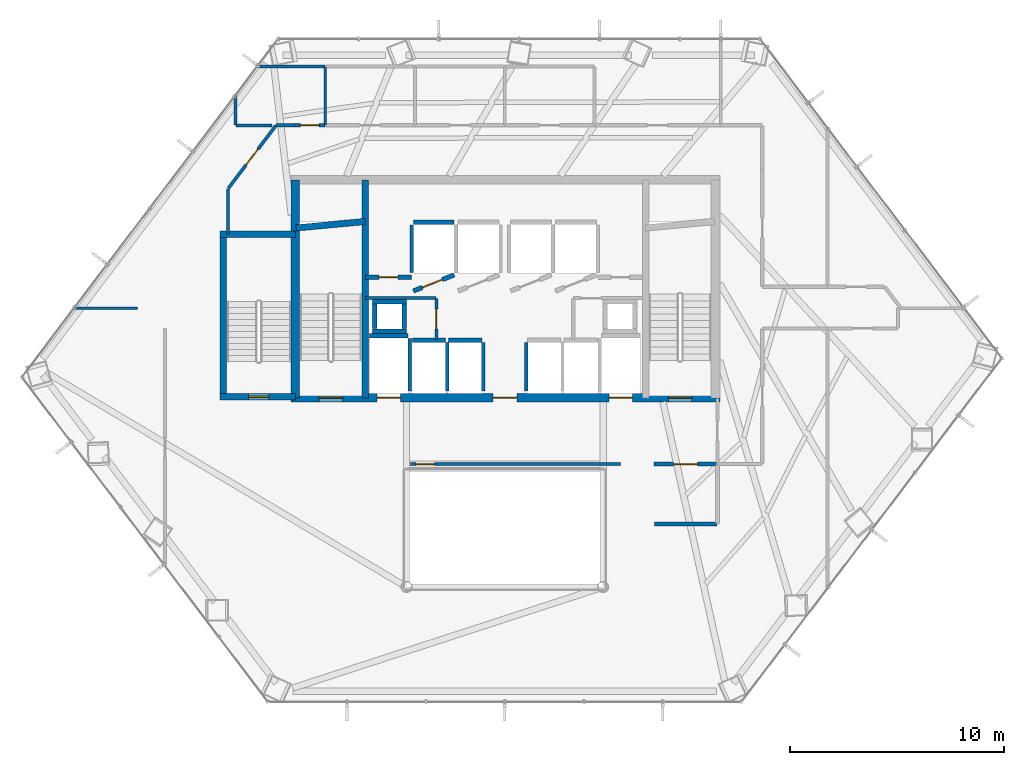
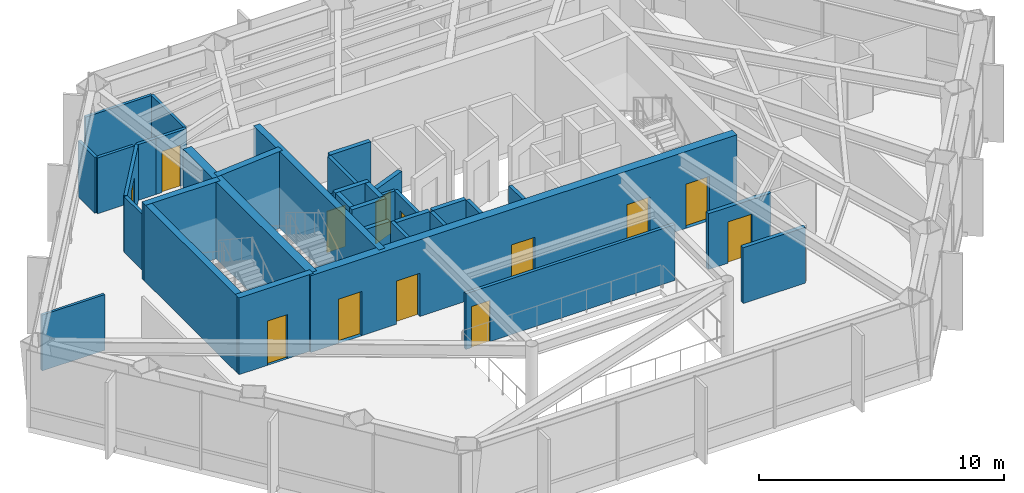
# One storey, part 24 of 27: 36 walls, 13 doors, 13 openings.
"""IFC4 building model written with IfcOpenShell, lengths in metres."""

from ifc_helpers import new_model, si_unit, direction, frame, frame_2d, origin, place, context, subcontext, project, spatial, rectangle, extrude, material, layer, layer_set, type_object, element, fill, save


model = new_model("IFC4")

# Units and contexts
model_context = context("Model", 3, precision=1e-05, world=origin(), true_north=direction((0.0, 1.0)))
body_context = subcontext(model_context, "Body", "Model", "MODEL_VIEW")
ifc_project = project(units=[si_unit("LENGTHUNIT", "METRE"), si_unit("AREAUNIT", "SQUARE_METRE"), si_unit("VOLUMEUNIT", "CUBIC_METRE"), si_unit("PLANEANGLEUNIT", "RADIAN"), si_unit("MASSUNIT", "GRAM", prefix="KILO")], contexts=[model_context])

# Site, building, storey
site_placement = place(None, origin())
site = spatial("IfcSite", under=ifc_project, at=site_placement, CompositionType="ELEMENT")
building_placement = place(site_placement, origin())
building = spatial("IfcBuilding", under=site, at=building_placement, Name="Zarrinselat Tower", CompositionType="ELEMENT")
storey_placement = place(building_placement, frame((0.0, 0.0, 47.93994140625)))
storey = spatial("IfcBuildingStorey", under=building, at=storey_placement, Name="L11", CompositionType="ELEMENT", Elevation=47.93994140625)

# Wall, opening, door
ifc_material_1 = material(Name="Concrete C40/50", Category="concrete")
ifc_layer_1 = layer(ifc_material_1, 0.18994140625)
ifc_layer_set_1 = layer_set([ifc_layer_1], Name="Concrete C40/50")
wall_type_1 = type_object("IfcWallType", Name="WAL-PART-EI120", PredefinedType="PARTITIONING", material=ifc_layer_set_1)
wall_1_placement = place(storey_placement, frame((45.385009765625, 30.14990234375, 0.0), z_axis=(0.0, 0.0, 1.0), x_axis=(1.0, 0.0, 0.0)))
wall_1 = element("IfcWall", 1, at=wall_1_placement, inside=storey, type_object=wall_type_1, Name="L11 Partition Wall 7", PredefinedType="PARTITIONING", context=body_context, shape_type="SweptSolid", body=[
    extrude(rectangle(XDim=2.945068359375, YDim=0.18994140625, at=frame_2d((1.47265625, 0.0))), origin(), (0.0, 0.0, 1.0), 2.777099609375),
])
opening_1_placement = place(wall_1_placement, frame((0.91259765625, 0.0, 0.0)))
opening_1 = element("IfcOpeningElement", 2, at=opening_1_placement, cuts=wall_1, Name="Opening ID-02", PredefinedType="OPENING", context=body_context, shape_type="SweptSolid", body=[
    extrude(rectangle(XDim=1.1201171875, YDim=2.050048828125, at=frame_2d((0.56005859375, 1.02490234375))), frame((0.0, 0.10498046875, 0.0), z_axis=(0.0, -1.0, 0.0), x_axis=(1.0, 0.0, 0.0)), (0.0, 0.0, 1.0), 0.2099609375),
])
ifc_material_2 = material(Name="Steel S355J2", Category="steel")
door_type_1 = type_object("IfcDoorType", Name="DR-INT-FD60-W", OperationType="NOTDEFINED", PredefinedType="DOOR", material=ifc_material_2)
door_1_placement = place(opening_1_placement, origin())
door_1 = element("IfcDoor", 3, at=door_1_placement, inside=storey, type_object=door_type_1, Name="L11 Interior Door P7", OperationType="SINGLE_SWING_LEFT", OverallHeight=2.050048828125, OverallWidth=1.1201171875, PredefinedType="DOOR", context=body_context, shape_type="SweptSolid", body=[
    extrude(rectangle(XDim=1.1201171875, YDim=2.050048828125, at=frame_2d((0.56005859375, 1.02490234375))), frame((0.0, 0.02490234375, 0.0), z_axis=(0.0, -1.0, 0.0), x_axis=(1.0, 0.0, 0.0)), (0.0, 0.0, 1.0), 0.050048828125),
])
fill(opening_1, door_1)

# Wall
wall_2_placement = place(storey_placement, frame((45.39990234375, 27.35009765625, 0.0), z_axis=(0.0, 0.0, 1.0), x_axis=(1.0, 0.0, 0.0)))
element("IfcWall", 4, at=wall_2_placement, inside=storey, type_object=wall_type_1, Name="L11 Partition Wall 10", PredefinedType="PARTITIONING", context=body_context, shape_type="SweptSolid", body=[
    extrude(rectangle(XDim=2.93017578125, YDim=0.18994140625, at=frame_2d((1.465087890625, 0.0))), origin(), (0.0, 0.0, 1.0), 2.777099609375),
])

# Wall, opening, door
ifc_material_3 = material(Name="Fire-Rated Gypsum Board Partition", Category="gypsum")
ifc_layer_2 = layer(ifc_material_3, 0.14990234375)
ifc_layer_set_2 = layer_set([ifc_layer_2], Name="Fire-Rated Gypsum Board Partition")
wall_type_2 = type_object("IfcWallType", Name="WAL-PART-EI60", PredefinedType="PARTITIONING", material=ifc_layer_set_2)
wall_3_placement = place(storey_placement, frame((35.199951171875, 35.969970703125, 0.0), z_axis=(0.0, 0.0, 1.0), x_axis=(0.0, 1.0, 0.0)))
wall_3 = element("IfcWall", 5, at=wall_3_placement, inside=storey, type_object=wall_type_2, Name="L11 Partition Wall 1", PredefinedType="PARTITIONING", context=body_context, shape_type="SweptSolid", body=[
    extrude(rectangle(XDim=1.929931640625, YDim=0.14990234375, at=frame_2d((0.96484375, 0.0))), origin(), (0.0, 0.0, 1.0), 2.777099609375),
])
opening_2_placement = place(wall_3_placement, frame((0.4951171875, 0.0, 0.0)))
opening_2 = element("IfcOpeningElement", 6, at=opening_2_placement, cuts=wall_3, Name="Opening ID-04", PredefinedType="OPENING", context=body_context, shape_type="SweptSolid", body=[
    extrude(rectangle(XDim=0.93994140625, YDim=2.050048828125, at=frame_2d((0.469970703125, 1.02490234375))), frame((0.0, 0.0849609375, 0.0), z_axis=(0.0, -1.0, 0.0), x_axis=(1.0, 0.0, 0.0)), (0.0, 0.0, 1.0), 0.169921875),
])
ifc_material_4 = material(Name="Fire-Rated Gypsum Board Partition")
door_type_2 = type_object("IfcDoorType", Name="DR-INT-FD30-ENT", OperationType="NOTDEFINED", PredefinedType="DOOR", material=ifc_material_4)
door_2_placement = place(opening_2_placement, origin())
door_2 = element("IfcDoor", 7, at=door_2_placement, inside=storey, type_object=door_type_2, Name="L11 Interior Door P1", OperationType="SINGLE_SWING_LEFT", OverallHeight=2.050048828125, OverallWidth=0.93994140625, PredefinedType="DOOR", context=body_context, shape_type="SweptSolid", body=[
    extrude(rectangle(XDim=0.93994140625, YDim=2.050048828125, at=frame_2d((0.469970703125, 1.02490234375))), frame((0.0, 0.02490234375, 0.0), z_axis=(0.0, -1.0, 0.0), x_axis=(1.0, 0.0, 0.0)), (0.0, 0.0, 1.0), 0.050048828125),
])
fill(opening_2, door_2)

# Wall
wall_4_placement = place(storey_placement, frame((31.885009765625, 37.919921875, 0.0), z_axis=(0.0, 0.0, 1.0), x_axis=(1.0, 0.0, 0.0)))
element("IfcWall", 8, at=wall_4_placement, inside=storey, type_object=wall_type_2, Name="L11 Partition Wall 2", PredefinedType="PARTITIONING", context=body_context, shape_type="SweptSolid", body=[
    extrude(rectangle(XDim=3.294921875, YDim=0.14990234375, at=frame_2d((1.6474609375, 0.0))), origin(), (0.0, 0.0, 1.0), 2.777099609375),
])

# Wall, opening, door
wall_5_placement = place(storey_placement, frame((33.985107421875, 30.14990234375, 0.0), z_axis=(0.0, 0.0, 1.0), x_axis=(1.0, 0.0, 0.0)))
wall_5 = element("IfcWall", 9, at=wall_5_placement, inside=storey, type_object=wall_type_2, Name="L11 Partition Wall 9", PredefinedType="PARTITIONING", context=body_context, shape_type="SweptSolid", body=[
    extrude(rectangle(XDim=9.829833984375, YDim=0.14990234375, at=frame_2d((4.9150390625, 0.0))), origin(), (0.0, 0.0, 1.0), 2.777099609375),
])
opening_3_placement = place(wall_5_placement, frame((0.25, 0.0, 0.0)))
opening_3 = element("IfcOpeningElement", 10, at=opening_3_placement, cuts=wall_5, Name="Opening ID-03", PredefinedType="OPENING", context=body_context, shape_type="SweptSolid", body=[
    extrude(rectangle(XDim=0.8798828125, YDim=2.050048828125, at=frame_2d((0.43994140625, 1.02490234375))), frame((0.0, 0.0849609375, 0.0), z_axis=(0.0, -1.0, 0.0), x_axis=(1.0, 0.0, 0.0)), (0.0, 0.0, 1.0), 0.169921875),
])
ifc_material_5 = material(Name="Steel S355J2", Category="steel")
door_type_3 = type_object("IfcDoorType", Name="DR-INT-FD60-S", OperationType="NOTDEFINED", PredefinedType="DOOR", material=ifc_material_5)
door_3_placement = place(opening_3_placement, origin())
door_3 = element("IfcDoor", 11, at=door_3_placement, inside=storey, type_object=door_type_3, Name="L11 Interior Door P9", OperationType="SINGLE_SWING_LEFT", OverallHeight=2.050048828125, OverallWidth=0.8798828125, PredefinedType="DOOR", context=body_context, shape_type="SweptSolid", body=[
    extrude(rectangle(XDim=0.8798828125, YDim=2.050048828125, at=frame_2d((0.43994140625, 1.02490234375))), frame((0.0, 0.02490234375, 0.0), z_axis=(0.0, -1.0, 0.0), x_axis=(1.0, 0.0, 0.0)), (0.0, 0.0, 1.0), 0.050048828125),
])
fill(opening_3, door_3)

# Wall
wall_6_placement = place(storey_placement, frame((27.69580078125, 46.0, 0.0), z_axis=(0.0, 0.0, 1.0), x_axis=(1.0, 0.0, 0.0)))
element("IfcWall", 12, at=wall_6_placement, inside=storey, type_object=wall_type_2, Name="L11 Partition Wall 12", PredefinedType="PARTITIONING", context=body_context, shape_type="SweptSolid", body=[
    extrude(rectangle(XDim=0.854248046875, YDim=0.14990234375, at=frame_2d((0.42724609375, 0.0))), origin(), (0.0, 0.0, 1.0), 2.777099609375),
])

# Wall, opening, door
wall_7_placement = place(storey_placement, frame((28.550048828125, 46.0, 0.0), z_axis=(0.0, 0.0, 1.0), x_axis=(1.0, 0.0, 0.0)))
wall_7 = element("IfcWall", 13, at=wall_7_placement, inside=storey, type_object=wall_type_2, Name="L11 Partition Wall 13", PredefinedType="PARTITIONING", context=body_context, shape_type="SweptSolid", body=[
    extrude(rectangle(XDim=1.445068359375, YDim=0.14990234375, at=frame_2d((0.72265625, 0.0))), origin(), (0.0, 0.0, 1.0), 2.777099609375),
])
opening_4_placement = place(wall_7_placement, frame((0.282470703125, 0.0, 0.0)))
opening_4 = element("IfcOpeningElement", 14, at=opening_4_placement, cuts=wall_7, Name="Opening ID-03", PredefinedType="OPENING", context=body_context, shape_type="SweptSolid", body=[
    extrude(rectangle(XDim=0.8798828125, YDim=2.050048828125, at=frame_2d((0.43994140625, 1.02490234375))), frame((0.0, 0.0849609375, 0.0), z_axis=(0.0, -1.0, 0.0), x_axis=(1.0, 0.0, 0.0)), (0.0, 0.0, 1.0), 0.169921875),
])
door_4_placement = place(opening_4_placement, origin())
door_4 = element("IfcDoor", 15, at=door_4_placement, inside=storey, type_object=door_type_3, Name="L11 Interior Door P13", OperationType="SINGLE_SWING_RIGHT", OverallHeight=2.050048828125, OverallWidth=0.8798828125, PredefinedType="DOOR", context=body_context, shape_type="SweptSolid", body=[
    extrude(rectangle(XDim=0.8798828125, YDim=2.050048828125, at=frame_2d((0.43994140625, 1.02490234375))), frame((0.0, 0.02490234375, 0.0), z_axis=(0.0, -1.0, 0.0), x_axis=(1.0, 0.0, 0.0)), (0.0, 0.0, 1.0), 0.050048828125),
])
fill(opening_4, door_4)

# Wall
wall_8_placement = place(storey_placement, frame((25.449951171875, 40.9150390625, 0.0), z_axis=(0.0, 0.0, 1.0), x_axis=(0.0, 1.0, 0.0)))
element("IfcWall", 16, at=wall_8_placement, inside=storey, type_object=wall_type_2, Name="L11 Partition Wall 24", PredefinedType="PARTITIONING", context=body_context, shape_type="SweptSolid", body=[
    extrude(rectangle(XDim=2.100341796875, YDim=0.14990234375, at=frame_2d((1.05029296875, 0.0))), origin(), (0.0, 0.0, 1.0), 2.777099609375),
])

# Wall, opening, door
wall_9_placement = place(storey_placement, frame((25.462158203125, 43.05126953125, 0.0), z_axis=(0.0, 0.0, 1.0), x_axis=(0.603862791153, 0.7970882821, 0.0)))
wall_9 = element("IfcWall", 17, at=wall_9_placement, inside=storey, type_object=wall_type_2, Name="L11 Partition Wall 25", PredefinedType="PARTITIONING", context=body_context, shape_type="SweptSolid", body=[
    extrude(rectangle(XDim=3.684326171875, YDim=0.14990234375, at=frame_2d((1.84228515625, 0.0))), origin(), (0.0, 0.0, 1.0), 2.777099609375),
])
opening_5_placement = place(wall_9_placement, frame((1.3720703125, 0.0, 0.0)))
opening_5 = element("IfcOpeningElement", 18, at=opening_5_placement, cuts=wall_9, Name="Opening ID-04", PredefinedType="OPENING", context=body_context, shape_type="SweptSolid", body=[
    extrude(rectangle(XDim=0.93994140625, YDim=2.050048828125, at=frame_2d((0.469970703125, 1.02490234375))), frame((0.0, 0.0849609375, 0.0), z_axis=(0.0, -1.0, 0.0), x_axis=(1.0, 0.0, 0.0)), (0.0, 0.0, 1.0), 0.169921875),
])
door_5_placement = place(opening_5_placement, origin())
door_5 = element("IfcDoor", 19, at=door_5_placement, inside=storey, type_object=door_type_2, Name="L11 Interior Door P25", OperationType="SINGLE_SWING_LEFT", OverallHeight=2.050048828125, OverallWidth=0.93994140625, PredefinedType="DOOR", context=body_context, shape_type="SweptSolid", body=[
    extrude(rectangle(XDim=0.93994140625, YDim=2.050048828125, at=frame_2d((0.469970703125, 1.02490234375))), frame((0.0, 0.02490234375, 0.0), z_axis=(0.0, -1.0, 0.0), x_axis=(1.0, 0.0, 0.0)), (0.0, 0.0, 1.0), 0.050048828125),
])
fill(opening_5, door_5)

ifc_material_6 = material(Name="Concrete C40/50", Category="concrete")
ifc_layer_3 = layer(ifc_material_6, 0.199951171875)
ifc_layer_set_3 = layer_set([ifc_layer_3], Name="Concrete C40/50")
wall_type_3 = type_object("IfcWallType", Name="WAL-PART-PLANT", PredefinedType="PARTITIONING", material=ifc_layer_set_3)
wall_10_placement = place(storey_placement, frame((31.885009765625, 38.889892578125, 0.0), z_axis=(0.0, 0.0, 1.0), x_axis=(1.0, 0.0, 0.0)))
wall_10 = element("IfcWall", 20, at=wall_10_placement, inside=storey, type_object=wall_type_3, Name="L11 Partition Wall 3", PredefinedType="PARTITIONING", context=body_context, shape_type="SweptSolid", body=[
    extrude(rectangle(XDim=2.14990234375, YDim=0.199951171875, at=frame_2d((1.074951171875, 0.0))), origin(), (0.0, 0.0, 1.0), 2.777099609375),
])
opening_6_placement = place(wall_10_placement, frame((0.635009765625, 0.0, 0.0)))
opening_6 = element("IfcOpeningElement", 21, at=opening_6_placement, cuts=wall_10, Name="Opening ID-03", PredefinedType="OPENING", context=body_context, shape_type="SweptSolid", body=[
    extrude(rectangle(XDim=0.8798828125, YDim=2.050048828125, at=frame_2d((0.43994140625, 1.02490234375))), frame((0.0, 0.10986328125, 0.0), z_axis=(0.0, -1.0, 0.0), x_axis=(1.0, 0.0, 0.0)), (0.0, 0.0, 1.0), 0.219970703125),
])
door_6_placement = place(opening_6_placement, origin())
door_6 = element("IfcDoor", 22, at=door_6_placement, inside=storey, type_object=door_type_3, Name="L11 Interior Door P3", OperationType="SINGLE_SWING_RIGHT", OverallHeight=2.050048828125, OverallWidth=0.8798828125, PredefinedType="DOOR", context=body_context, shape_type="SweptSolid", body=[
    extrude(rectangle(XDim=0.8798828125, YDim=2.050048828125, at=frame_2d((0.43994140625, 1.02490234375))), frame((0.0, 0.02490234375, 0.0), z_axis=(0.0, -1.0, 0.0), x_axis=(1.0, 0.0, 0.0)), (0.0, 0.0, 1.0), 0.050048828125),
])
fill(opening_6, door_6)

# Walls
ifc_material_7 = material(Name="Fire-Rated Gypsum Board Partition", Category="gypsum")
ifc_layer_4 = layer(ifc_material_7, 0.1201171875)
ifc_layer_set_4 = layer_set([ifc_layer_4], Name="Fire-Rated Gypsum Board Partition")
wall_type_4 = type_object("IfcWallType", Name="WAL-PART-STD", PredefinedType="PARTITIONING", material=ifc_layer_set_4)
wall_11_placement = place(storey_placement, frame((18.27294921875, 37.449951171875, 0.0), z_axis=(0.0, 0.0, 1.0), x_axis=(1.0, 0.0, 0.0)))
element("IfcWall", 23, at=wall_11_placement, inside=storey, type_object=wall_type_4, Name="L11 Partition Wall 44", PredefinedType="PARTITIONING", context=body_context, shape_type="SweptSolid", body=[
    extrude(rectangle(XDim=2.94580078125, YDim=0.1201171875, at=frame_2d((1.472900390625, 0.0))), origin(), (0.0, 0.0, 1.0), 2.777099609375),
])
ifc_material_8 = material(Name="Fire-Rated Gypsum Board Partition", Category="gypsum")
ifc_layer_5 = layer(ifc_material_8, 0.135009765625)
ifc_layer_set_5 = layer_set([ifc_layer_5], Name="Fire-Rated Gypsum Board Partition")
wall_type_5 = type_object("IfcWallType", Name="WAL-PART-WET", PredefinedType="PARTITIONING", material=ifc_layer_set_5)
wall_12_placement = place(storey_placement, frame((30.0, 46.02001953125, 0.0), z_axis=(0.0, 0.0, 1.0), x_axis=(0.0, 1.0, 0.0)))
element("IfcWall", 24, at=wall_12_placement, inside=storey, type_object=wall_type_5, Name="L11 Partition Wall 31", PredefinedType="PARTITIONING", context=body_context, shape_type="SweptSolid", body=[
    extrude(rectangle(XDim=2.7099609375, YDim=0.135009765625, at=frame_2d((1.35498046875, 0.0))), origin(), (0.0, 0.0, 1.0), 2.777099609375),
])
wall_13_placement = place(storey_placement, frame((25.820068359375, 46.0, 0.0), z_axis=(0.0, 0.0, 1.0), x_axis=(1.0, 0.0, 0.0)))
element("IfcWall", 25, at=wall_13_placement, inside=storey, type_object=wall_type_5, Name="L11 Partition Wall 32", PredefinedType="PARTITIONING", context=body_context, shape_type="SweptSolid", body=[
    extrude(rectangle(XDim=1.69482421875, YDim=0.135009765625, at=frame_2d((0.847412109375, 0.0))), origin(), (0.0, 0.0, 1.0), 2.777099609375),
])
wall_14_placement = place(storey_placement, frame((25.800048828125, 46.02001953125, 0.0), z_axis=(0.0, 0.0, 1.0), x_axis=(0.0, 1.0, 0.0)))
element("IfcWall", 26, at=wall_14_placement, inside=storey, type_object=wall_type_5, Name="L11 Partition Wall 33", PredefinedType="PARTITIONING", context=body_context, shape_type="SweptSolid", body=[
    extrude(rectangle(XDim=1.37060546875, YDim=0.135009765625, at=frame_2d((0.685302734375, 0.0))), origin(), (0.0, 0.0, 1.0), 2.777099609375),
])
wall_15_placement = place(storey_placement, frame((26.83349609375, 48.75, 0.0), z_axis=(0.0, 0.0, 1.0), x_axis=(1.0, 0.0, 0.0)))
element("IfcWall", 27, at=wall_15_placement, inside=storey, type_object=wall_type_5, Name="L11 Partition Wall 34", PredefinedType="PARTITIONING", context=body_context, shape_type="SweptSolid", body=[
    extrude(rectangle(XDim=3.146484375, YDim=0.135009765625, at=frame_2d((1.5732421875, 0.0))), origin(), (0.0, 0.0, 1.0), 2.777099609375),
])
ifc_material_9 = material(Name="Concrete C40/50", Category="concrete")
ifc_layer_6 = layer(ifc_material_9, 0.2099609375)
ifc_layer_set_6 = layer_set([ifc_layer_6], Name="Concrete C40/50")
wall_type_6 = type_object("IfcWallType", Name="WAL-SHAFT-210", PredefinedType="SOLIDWALL", material=ifc_layer_set_6)
wall_16_placement = place(storey_placement, frame((32.080078125, 36.155029296875, 0.0), z_axis=(0.0, 0.0, 1.0), x_axis=(1.0, 0.0, 0.0)))
element("IfcWall", 28, at=wall_16_placement, inside=storey, type_object=wall_type_6, Name="L11 Lift FFL1 North Shaft Wall", PredefinedType="SOLIDWALL", context=body_context, shape_type="SweptSolid", body=[
    extrude(rectangle(XDim=1.7998046875, YDim=0.2099609375, at=frame_2d((0.89990234375, 0.0))), origin(), (0.0, 0.0, 1.0), 2.7919921875),
])
wall_17_placement = place(storey_placement, frame((33.949951171875, 33.580078125, 0.0), z_axis=(0.0, 0.0, 1.0), x_axis=(0.0, 1.0, 0.0)))
element("IfcWall", 29, at=wall_17_placement, inside=storey, type_object=wall_type_6, Name="L11 Lift FFL1 E Shaft Wall", PredefinedType="SOLIDWALL", context=body_context, shape_type="SweptSolid", body=[
    extrude(rectangle(XDim=2.449951171875, YDim=0.159912109375, at=frame_2d((1.22509765625, 0.0))), origin(), (0.0, 0.0, 1.0), 2.7919921875),
])

# Wall, opening, door
wall_18_placement = place(storey_placement, frame((34.1201171875, 38.25, 0.0), z_axis=(0.0, 0.0, 1.0), x_axis=(0.930804993012, 0.36551616241, 0.0)))
wall_18 = element("IfcWall", 30, at=wall_18_placement, inside=storey, type_object=wall_type_6, Name="L11 Lift PL1 Front Shaft Wall", PredefinedType="SOLIDWALL", context=body_context, shape_type="SweptSolid", body=[
    extrude(rectangle(XDim=2.052001953125, YDim=0.2099609375, at=frame_2d((1.02587890625, 0.0))), origin(), (0.0, 0.0, 1.0), 2.7919921875),
])
opening_7_placement = place(wall_18_placement, frame((0.455078125, 0.0, 0.0)))
opening_7 = element("IfcOpeningElement", 31, at=opening_7_placement, cuts=wall_18, Name="Opening LD-PL1", PredefinedType="OPENING", context=body_context, shape_type="SweptSolid", body=[
    extrude(rectangle(XDim=1.0, YDim=2.10009765625, at=frame_2d((0.5, 1.050048828125))), frame((0.0, 0.114990234375, 0.0), z_axis=(0.0, -1.0, 0.0), x_axis=(1.0, 0.0, 0.0)), (0.0, 0.0, 1.0), 0.22998046875),
])
ifc_material_10 = material(Name="Steel S355J2", Category="steel")
door_type_4 = type_object("IfcDoorType", Name="DR-LIFT-PS-1000", OperationType="NOTDEFINED", PredefinedType="DOOR", material=ifc_material_10)
door_7_placement = place(opening_7_placement, origin())
door_7 = element("IfcDoor", 32, at=door_7_placement, inside=storey, type_object=door_type_4, Name="L11 Lift PL1 Sliding Landing Door", OperationType="SLIDING_TO_LEFT", OverallHeight=2.10009765625, OverallWidth=1.0, PredefinedType="DOOR", context=body_context, shape_type="SweptSolid", body=[
    extrude(rectangle(XDim=1.0, YDim=2.10009765625, at=frame_2d((0.5, 1.050048828125))), frame((0.0, 0.02490234375, 0.0), z_axis=(0.0, -1.0, 0.0), x_axis=(1.0, 0.0, 0.0)), (0.0, 0.0, 1.0), 0.050048828125),
])
fill(opening_7, door_7)

# Walls
wall_19_placement = place(storey_placement, frame((34.1201171875, 41.455078125, 0.0), z_axis=(0.0, 0.0, 1.0), x_axis=(1.0, 0.0, 0.0)))
element("IfcWall", 33, at=wall_19_placement, inside=storey, type_object=wall_type_6, Name="L11 Lift PL1 Rear Shaft Wall", PredefinedType="SOLIDWALL", context=body_context, shape_type="SweptSolid", body=[
    extrude(rectangle(XDim=1.909912109375, YDim=0.2099609375, at=frame_2d((0.955078125, 0.0))), origin(), (0.0, 0.0, 1.0), 2.7919921875),
])
wall_20_placement = place(storey_placement, frame((34.050048828125, 39.1201171875, 0.0), z_axis=(0.0, 0.0, 1.0), x_axis=(0.0, 1.0, 0.0)))
element("IfcWall", 34, at=wall_20_placement, inside=storey, type_object=wall_type_6, Name="L11 Lift PL1 W Shaft Wall", PredefinedType="SOLIDWALL", context=body_context, shape_type="SweptSolid", body=[
    extrude(rectangle(XDim=2.2099609375, YDim=0.159912109375, at=frame_2d((1.10498046875, 0.0))), origin(), (0.0, 0.0, 1.0), 2.7919921875),
])
wall_21_placement = place(storey_placement, frame((34.070068359375, 35.955078125, 0.0), z_axis=(0.0, 0.0, 1.0), x_axis=(1.0, 0.0, 0.0)))
element("IfcWall", 35, at=wall_21_placement, inside=storey, type_object=wall_type_6, Name="L11 Lift PL5 North Shaft Wall", PredefinedType="SOLIDWALL", context=body_context, shape_type="SweptSolid", body=[
    extrude(rectangle(XDim=1.559814453125, YDim=0.2099609375, at=frame_2d((0.77978515625, 0.0))), origin(), (0.0, 0.0, 1.0), 2.7919921875),
])
wall_22_placement = place(storey_placement, frame((35.699951171875, 33.580078125, 0.0), z_axis=(0.0, 0.0, 1.0), x_axis=(0.0, 1.0, 0.0)))
element("IfcWall", 36, at=wall_22_placement, inside=storey, type_object=wall_type_6, Name="L11 Lift PL5 E Shaft Wall", PredefinedType="SOLIDWALL", context=body_context, shape_type="SweptSolid", body=[
    extrude(rectangle(XDim=2.25, YDim=0.159912109375, at=frame_2d((1.125, 0.0))), origin(), (0.0, 0.0, 1.0), 2.7919921875),
])
wall_23_placement = place(storey_placement, frame((35.77001953125, 35.955078125, 0.0), z_axis=(0.0, 0.0, 1.0), x_axis=(1.0, 0.0, 0.0)))
element("IfcWall", 37, at=wall_23_placement, inside=storey, type_object=wall_type_6, Name="L11 Lift PL6 North Shaft Wall", PredefinedType="SOLIDWALL", context=body_context, shape_type="SweptSolid", body=[
    extrude(rectangle(XDim=1.56005859375, YDim=0.2099609375, at=frame_2d((0.780029296875, 0.0))), origin(), (0.0, 0.0, 1.0), 2.7919921875),
])
for number, where, z_axis, x_axis, name in (
    (38, (37.39990234375, 33.580078125, 0.0), (0.0, 0.0, 1.0), (0.0, 1.0, 0.0), "L11 Lift PL6 E Shaft Wall"),
    (39, (39.39990234375, 33.580078125, 0.0), (0.0, 0.0, 1.0), (0.0, 1.0, 0.0), "L11 Lift PL8 W Shaft Wall"),
):
    element("IfcWall", number, at=place(storey_placement, frame(where, z_axis=z_axis, x_axis=x_axis)), inside=storey, type_object=wall_type_6, Name=name, PredefinedType="SOLIDWALL", context=body_context, shape_type="SweptSolid", body=[
        extrude(rectangle(XDim=2.25, YDim=0.159912109375, at=frame_2d((1.125, 0.0))), origin(), (0.0, 0.0, 1.0), 2.7919921875),
    ])
for number, where, z_axis, x_axis, name in (
    (40, (32.2099609375, 36.375, 0.0), (0.0, 0.0, 1.0), (1.0, 0.0, 0.0), "L11 Core Riser RSR-W S Shaft Wall"),
    (41, (32.2099609375, 37.7451171875, 0.0), (0.0, 0.0, 1.0), (1.0, 0.0, 0.0), "L11 Core Riser RSR-W N Shaft Wall"),
):
    element("IfcWall", number, at=place(storey_placement, frame(where, z_axis=z_axis, x_axis=x_axis)), inside=storey, type_object=wall_type_6, Name=name, PredefinedType="SOLIDWALL", context=body_context, shape_type="SweptSolid", body=[
        extrude(rectangle(XDim=1.60009765625, YDim=0.2099609375, at=frame_2d((0.800048828125, 0.0))), origin(), (0.0, 0.0, 1.0), 3.820068359375),
    ])
for number, where, z_axis, x_axis, name in (
    (42, (32.31494140625, 36.485107421875, 0.0), (0.0, 0.0, 1.0), (0.0, 1.0, 0.0), "L11 Core Riser RSR-W W Shaft Wall"),
    (43, (33.705078125, 36.485107421875, 0.0), (0.0, 0.0, 1.0), (0.0, 1.0, 0.0), "L11 Core Riser RSR-W E Shaft Wall"),
):
    element("IfcWall", number, at=place(storey_placement, frame(where, z_axis=z_axis, x_axis=x_axis)), inside=storey, type_object=wall_type_6, Name=name, PredefinedType="SOLIDWALL", context=body_context, shape_type="SweptSolid", body=[
        extrude(rectangle(XDim=1.14990234375, YDim=0.2099609375, at=frame_2d((0.574951171875, 0.0))), origin(), (0.0, 0.0, 1.0), 3.820068359375),
    ])
ifc_material_11 = material(Name="Concrete C40/50", Category="concrete")
ifc_layer_7 = layer(ifc_material_11, 0.300048828125)
ifc_layer_set_7 = layer_set([ifc_layer_7], Name="Concrete C40/50")
wall_type_7 = type_object("IfcWallType", Name="WAL-SHEAR-300", PredefinedType="SHEAR", material=ifc_layer_set_7)
wall_24_placement = place(storey_placement, frame((31.8701171875, 33.25, 0.0), z_axis=(0.0, 0.0, 1.0), x_axis=(0.0, 1.0, 0.0)))
element("IfcWall", 44, at=wall_24_placement, inside=storey, type_object=wall_type_7, Name="L11 Core Shear Wall ST1E", PredefinedType="SHEAR", context=body_context, shape_type="SweptSolid", body=[
    extrude(rectangle(XDim=10.199951171875, YDim=0.300048828125, at=frame_2d((5.10009765625, 0.0))), origin(), (0.0, 0.0, 1.0), 3.820068359375),
])
wall_25_placement = place(storey_placement, frame((28.639892578125, 41.199951171875, 0.0), z_axis=(0.0, 0.0, 1.0), x_axis=(0.995687118776, 0.092774789157, 0.0)))
element("IfcWall", 45, at=wall_25_placement, inside=storey, type_object=wall_type_7, Name="L11 Stair 1 North Shaft Wall", PredefinedType="SHEAR", context=body_context, shape_type="SweptSolid", body=[
    extrude(rectangle(XDim=3.234130859375, YDim=0.300048828125, at=frame_2d((1.6171875, 0.0))), origin(), (0.0, 0.0, 1.0), 3.820068359375),
])
wall_26_placement = place(storey_placement, frame((25.080078125, 40.89990234375, 0.0), z_axis=(0.0, 0.0, 1.0), x_axis=(1.0, 0.0, 0.0)))
element("IfcWall", 46, at=wall_26_placement, inside=storey, type_object=wall_type_7, Name="L11 Stair 3 North Shear Wall", PredefinedType="SHEAR", context=body_context, shape_type="SweptSolid", body=[
    extrude(rectangle(XDim=3.52001953125, YDim=0.300048828125, at=frame_2d((1.760009765625, 0.0))), origin(), (0.0, 0.0, 1.0), 3.820068359375),
])

# Wall, opening, door
wall_27_placement = place(storey_placement, frame((25.080078125, 33.300048828125, 0.0), z_axis=(0.0, 0.0, 1.0), x_axis=(1.0, 0.0, 0.0)))
wall_27 = element("IfcWall", 47, at=wall_27_placement, inside=storey, type_object=wall_type_7, Name="L11 Stair 3 South Shear Wall", PredefinedType="SHEAR", context=body_context, shape_type="SweptSolid", body=[
    extrude(rectangle(XDim=3.52001953125, YDim=0.300048828125, at=frame_2d((1.760009765625, 0.0))), origin(), (0.0, 0.0, 1.0), 3.820068359375),
])
opening_8_placement = place(wall_27_placement, frame((1.3349609375, 0.0, 0.0)))
opening_8 = element("IfcOpeningElement", 48, at=opening_8_placement, cuts=wall_27, Name="Opening SD-02", PredefinedType="OPENING", context=body_context, shape_type="SweptSolid", body=[
    extrude(rectangle(XDim=0.949951171875, YDim=2.199951171875, at=frame_2d((0.47509765625, 1.10009765625))), frame((0.0, 0.159912109375, 0.0), z_axis=(0.0, -1.0, 0.0), x_axis=(1.0, 0.0, 0.0)), (0.0, 0.0, 1.0), 0.320068359375),
])
ifc_material_12 = material(Name="Steel S355J2", Category="steel")
door_type_5 = type_object("IfcDoorType", Name="DR-STAIR-1050", OperationType="NOTDEFINED", PredefinedType="DOOR", material=ifc_material_12)
door_8_placement = place(opening_8_placement, origin())
door_8 = element("IfcDoor", 49, at=door_8_placement, inside=storey, type_object=door_type_5, Name="L11 Exit Stair 3 Fire Door", OperationType="SINGLE_SWING_LEFT", OverallHeight=2.199951171875, OverallWidth=0.949951171875, PredefinedType="DOOR", context=body_context, shape_type="SweptSolid", body=[
    extrude(rectangle(XDim=0.949951171875, YDim=2.199951171875, at=frame_2d((0.47509765625, 1.10009765625))), frame((0.0, 0.02490234375, 0.0), z_axis=(0.0, -1.0, 0.0), x_axis=(1.0, 0.0, 0.0)), (0.0, 0.0, 1.0), 0.050048828125),
])
fill(opening_8, door_8)

# Wall
wall_28_placement = place(storey_placement, frame((25.22998046875, 33.300048828125, 0.0), z_axis=(0.0, 0.0, 1.0), x_axis=(0.0, 1.0, 0.0)))
element("IfcWall", 50, at=wall_28_placement, inside=storey, type_object=wall_type_7, Name="L11 Stair 3 West Shear Wall", PredefinedType="SHEAR", context=body_context, shape_type="SweptSolid", body=[
    extrude(rectangle(XDim=7.599853515625, YDim=0.300048828125, at=frame_2d((3.7998046875, 0.0))), origin(), (0.0, 0.0, 1.0), 3.820068359375),
])

# Wall, openings, doors
ifc_material_13 = material(Name="Concrete C60/75", Category="concrete")
ifc_layer_8 = layer(ifc_material_13, 0.39990234375)
ifc_layer_set_8 = layer_set([ifc_layer_8], Name="Concrete C60/75")
wall_type_8 = type_object("IfcWallType", Name="WAL-SHEAR-400", PredefinedType="SHEAR", material=ifc_layer_set_8)
wall_29_placement = place(storey_placement, frame((28.39990234375, 33.25, 0.0), z_axis=(0.0, 0.0, 1.0), x_axis=(1.0, 0.0, 0.0)))
wall_29 = element("IfcWall", 51, at=wall_29_placement, inside=storey, type_object=wall_type_8, Name="L11 South Core Shear Wall", PredefinedType="SHEAR", context=body_context, shape_type="SweptSolid", body=[
    extrude(rectangle(XDim=20.06005859375, YDim=0.39990234375, at=frame_2d((10.030029296875, 0.0))), origin(), (0.0, 0.0, 1.0), 3.820068359375),
])
opening_9_placement = place(wall_29_placement, frame((4.030029296875, 0.0, 0.0)))
opening_9 = element("IfcOpeningElement", 52, at=opening_9_placement, cuts=wall_29, Name="Opening LD-FFL1", PredefinedType="OPENING", context=body_context, shape_type="SweptSolid", body=[
    extrude(rectangle(XDim=1.10009765625, YDim=2.14990234375, at=frame_2d((0.550048828125, 1.074951171875))), frame((0.0, 0.2099609375, 0.0), z_axis=(0.0, -1.0, 0.0), x_axis=(1.0, 0.0, 0.0)), (0.0, 0.0, 1.0), 0.419921875),
])
opening_10_placement = place(wall_29_placement, frame((14.8701171875, 0.0, 0.0)))
opening_10 = element("IfcOpeningElement", 53, at=opening_10_placement, cuts=wall_29, Name="Opening LD-FFL2", PredefinedType="OPENING", context=body_context, shape_type="SweptSolid", body=[
    extrude(rectangle(XDim=1.10009765625, YDim=2.14990234375, at=frame_2d((0.550048828125, 1.074951171875))), frame((0.0, 0.2099609375, 0.0), z_axis=(0.0, -1.0, 0.0), x_axis=(1.0, 0.0, 0.0)), (0.0, 0.0, 1.0), 0.419921875),
])
opening_11_placement = place(wall_29_placement, frame((1.31005859375, 0.0, 0.0)))
opening_11 = element("IfcOpeningElement", 54, at=opening_11_placement, cuts=wall_29, Name="Opening SD-01", PredefinedType="OPENING", context=body_context, shape_type="SweptSolid", body=[
    extrude(rectangle(XDim=1.10009765625, YDim=2.199951171875, at=frame_2d((0.550048828125, 1.10009765625))), frame((0.0, 0.2099609375, 0.0), z_axis=(0.0, -1.0, 0.0), x_axis=(1.0, 0.0, 0.0)), (0.0, 0.0, 1.0), 0.419921875),
])
opening_12_placement = place(wall_29_placement, frame((9.43994140625, 0.0, 0.0)))
opening_12 = element("IfcOpeningElement", 55, at=opening_12_placement, cuts=wall_29, Name="Opening ID-02", PredefinedType="OPENING", context=body_context, shape_type="SweptSolid", body=[
    extrude(rectangle(XDim=1.1201171875, YDim=2.050048828125, at=frame_2d((0.56005859375, 1.02490234375))), frame((0.0, 0.2099609375, 0.0), z_axis=(0.0, -1.0, 0.0), x_axis=(1.0, 0.0, 0.0)), (0.0, 0.0, 1.0), 0.419921875),
])
opening_13_placement = place(wall_29_placement, frame((17.64990234375, 0.0, 0.0)))
opening_13 = element("IfcOpeningElement", 56, at=opening_13_placement, cuts=wall_29, Name="Opening SD-01", PredefinedType="OPENING", context=body_context, shape_type="SweptSolid", body=[
    extrude(rectangle(XDim=1.10009765625, YDim=2.199951171875, at=frame_2d((0.550048828125, 1.10009765625))), frame((0.0, 0.2099609375, 0.0), z_axis=(0.0, -1.0, 0.0), x_axis=(1.0, 0.0, 0.0)), (0.0, 0.0, 1.0), 0.419921875),
])
door_9_placement = place(opening_12_placement, origin())
door_9 = element("IfcDoor", 57, at=door_9_placement, inside=storey, type_object=door_type_1, Name="L11 Core Service Vestibule Fire Door", OperationType="SINGLE_SWING_LEFT", OverallHeight=2.050048828125, OverallWidth=1.1201171875, PredefinedType="DOOR", context=body_context, shape_type="SweptSolid", body=[
    extrude(rectangle(XDim=1.1201171875, YDim=2.050048828125, at=frame_2d((0.56005859375, 1.02490234375))), frame((0.0, 0.02490234375, 0.0), z_axis=(0.0, -1.0, 0.0), x_axis=(1.0, 0.0, 0.0)), (0.0, 0.0, 1.0), 0.050048828125),
])
fill(opening_12, door_9)
ifc_material_14 = material(Name="Steel S355J2", Category="steel")
door_type_6 = type_object("IfcDoorType", Name="DR-LIFT-FF-1100", OperationType="NOTDEFINED", PredefinedType="DOOR", material=ifc_material_14)
door_10_placement = place(opening_9_placement, origin())
door_10 = element("IfcDoor", 58, at=door_10_placement, inside=storey, type_object=door_type_6, Name="L11 Lift FFL1 Sliding Landing Door", OperationType="SLIDING_TO_LEFT", OverallHeight=2.14990234375, OverallWidth=1.10009765625, PredefinedType="DOOR", context=body_context, shape_type="SweptSolid", body=[
    extrude(rectangle(XDim=1.10009765625, YDim=2.14990234375, at=frame_2d((0.550048828125, 1.074951171875))), frame((0.0, 0.02490234375, 0.0), z_axis=(0.0, -1.0, 0.0), x_axis=(1.0, 0.0, 0.0)), (0.0, 0.0, 1.0), 0.050048828125),
])
fill(opening_9, door_10)
door_11_placement = place(opening_10_placement, origin())
door_11 = element("IfcDoor", 59, at=door_11_placement, inside=storey, type_object=door_type_6, Name="L11 Lift FFL2 Sliding Landing Door", OperationType="SLIDING_TO_RIGHT", OverallHeight=2.14990234375, OverallWidth=1.10009765625, PredefinedType="DOOR", context=body_context, shape_type="SweptSolid", body=[
    extrude(rectangle(XDim=1.10009765625, YDim=2.14990234375, at=frame_2d((0.550048828125, 1.074951171875))), frame((0.0, 0.02490234375, 0.0), z_axis=(0.0, -1.0, 0.0), x_axis=(1.0, 0.0, 0.0)), (0.0, 0.0, 1.0), 0.050048828125),
])
fill(opening_10, door_11)
ifc_material_15 = material(Name="Steel S355J2", Category="steel")
door_type_7 = type_object("IfcDoorType", Name="DR-STAIR-1100", OperationType="NOTDEFINED", PredefinedType="DOOR", material=ifc_material_15)
door_12_placement = place(opening_11_placement, origin())
door_12 = element("IfcDoor", 60, at=door_12_placement, inside=storey, type_object=door_type_7, Name="L11 Exit Stair 1 Fire Door", OperationType="SINGLE_SWING_LEFT", OverallHeight=2.199951171875, OverallWidth=1.10009765625, PredefinedType="DOOR", context=body_context, shape_type="SweptSolid", body=[
    extrude(rectangle(XDim=1.10009765625, YDim=2.199951171875, at=frame_2d((0.550048828125, 1.10009765625))), frame((0.0, 0.02490234375, 0.0), z_axis=(0.0, -1.0, 0.0), x_axis=(1.0, 0.0, 0.0)), (0.0, 0.0, 1.0), 0.050048828125),
])
fill(opening_11, door_12)
door_13_placement = place(opening_13_placement, origin())
door_13 = element("IfcDoor", 61, at=door_13_placement, inside=storey, type_object=door_type_7, Name="L11 Exit Stair 2 Fire Door", OperationType="SINGLE_SWING_RIGHT", OverallHeight=2.199951171875, OverallWidth=1.10009765625, PredefinedType="DOOR", context=body_context, shape_type="SweptSolid", body=[
    extrude(rectangle(XDim=1.10009765625, YDim=2.199951171875, at=frame_2d((0.550048828125, 1.10009765625))), frame((0.0, 0.02490234375, 0.0), z_axis=(0.0, -1.0, 0.0), x_axis=(1.0, 0.0, 0.0)), (0.0, 0.0, 1.0), 0.050048828125),
])
fill(opening_13, door_13)

# Wall
wall_30_placement = place(storey_placement, frame((28.60009765625, 33.25, 0.0), z_axis=(0.0, 0.0, 1.0), x_axis=(0.0, 1.0, 0.0)))
element("IfcWall", 62, at=wall_30_placement, inside=storey, type_object=wall_type_8, Name="L11 Core Shear Wall W", PredefinedType="SHEAR", context=body_context, shape_type="SweptSolid", body=[
    extrude(rectangle(XDim=10.199951171875, YDim=0.39990234375, at=frame_2d((5.10009765625, 0.0))), origin(), (0.0, 0.0, 1.0), 3.820068359375),
])

save(model, "model.ifc")
